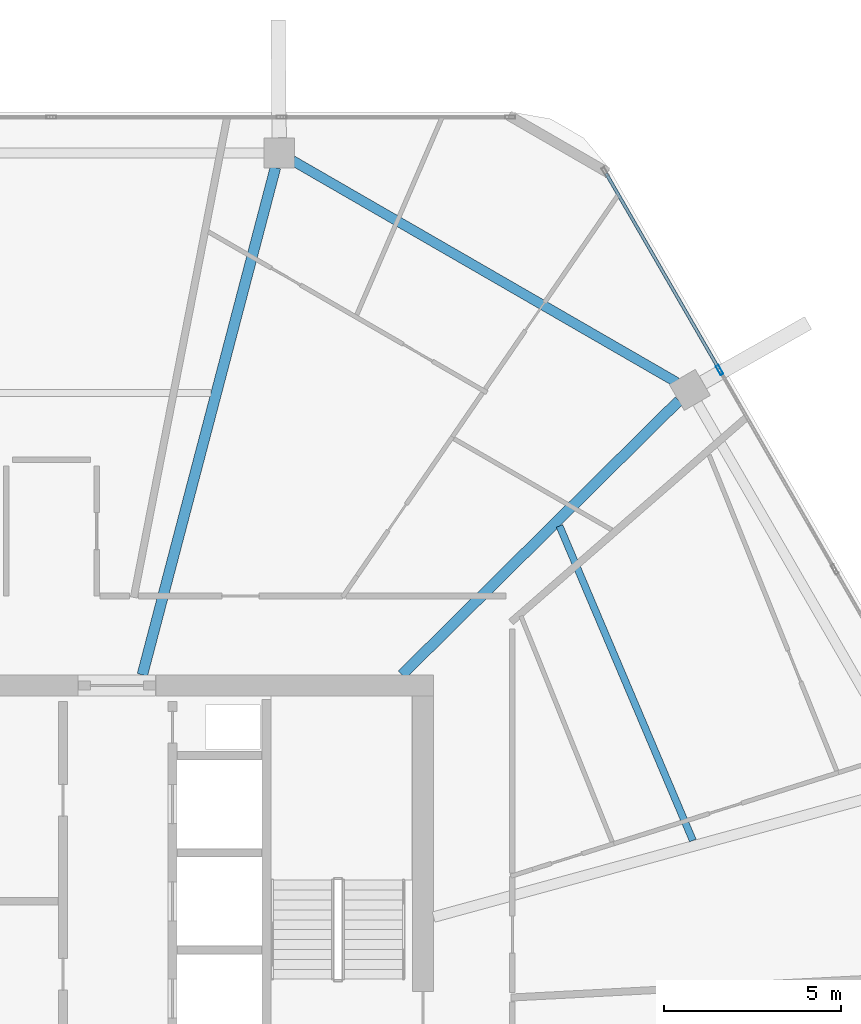
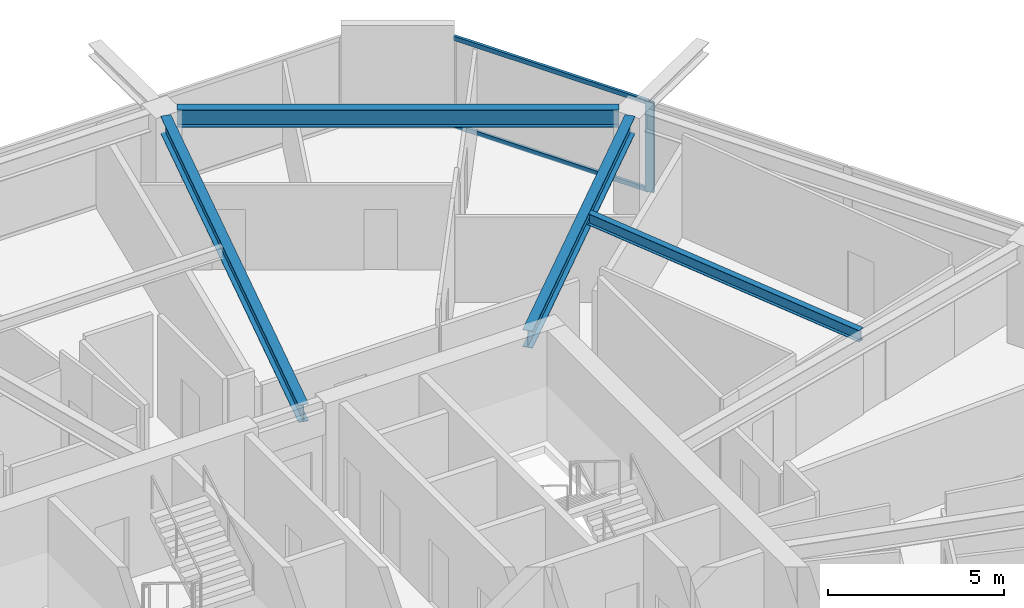
# One storey, part 14 of 26: 4 beams, 3 members, 1 element without a shape of its own.
"""IFC4 building model written with IfcOpenShell, lengths in metres."""

from ifc_helpers import new_model, si_unit, direction, frame, origin, origin_2d, place, context, subcontext, project, spatial, hollow_rectangle, i_section, extrude, material, material_profile, profile_set, type_object, element, aggregate, save


model = new_model("IFC4")

# Units and contexts
model_context = context("Model", 3, precision=1e-05, world=origin(), true_north=direction((0.0, 1.0)))
body_context = subcontext(model_context, "Body", "Model", "MODEL_VIEW")
ifc_project = project(units=[si_unit("LENGTHUNIT", "METRE"), si_unit("AREAUNIT", "SQUARE_METRE"), si_unit("VOLUMEUNIT", "CUBIC_METRE"), si_unit("PLANEANGLEUNIT", "RADIAN"), si_unit("MASSUNIT", "GRAM", prefix="KILO")], contexts=[model_context])

# Site, building, storey
site_placement = place(None, origin())
site = spatial("IfcSite", under=ifc_project, at=site_placement, CompositionType="ELEMENT")
building_placement = place(site_placement, origin())
building = spatial("IfcBuilding", under=site, at=building_placement, Name="Zuhravey Tower", CompositionType="ELEMENT")
storey_placement = place(building_placement, frame((0.0, 0.0, 280.60009765625)))
storey = spatial("IfcBuildingStorey", under=building, at=storey_placement, Name="L71", CompositionType="ELEMENT", Elevation=280.60009765625)

# Curtain wall, members
ifc_material_1 = material(Name="Thermally broken anodised aluminium", Category="aluminium")
curtain_wall_type = type_object("IfcCurtainWallType", Name="Zone 3-4 High-Rise Curtain Wall CW4", PredefinedType="NOTDEFINED", material=ifc_material_1)
curtain_wall_placement = place(storey_placement, origin())
curtain_wall = element("IfcCurtainWall", 1, at=curtain_wall_placement, inside=storey, type_object=curtain_wall_type, Name="L71 CW4 CW-L71-F1-1", PredefinedType="NOTDEFINED")
ifc_material_2 = material(Name="Anodised aluminium", Category="aluminium")
ifc_material_profile_1 = material_profile(ifc_material_2, hollow_rectangle(XDim=0.090087890625, YDim=0.284912109375, WallThickness=0.0048828125, at=origin_2d()), Name="ALU-RHS-90x285x5")
ifc_profile_set_1 = profile_set([ifc_material_profile_1], Name="Anodised aluminium")
member_type_1 = type_object("IfcMemberType", Name="Curtain-Wall Mullion 90x180", PredefinedType="MULLION", material=ifc_profile_set_1)
member_1_placement = place(storey_placement, frame((54.885498046875, 50.41650390625, 0.0), z_axis=(0.0, 0.0, 1.0), x_axis=(0.866024851021, 0.500000957414, 0.0)))
member_1 = element("IfcMember", 2, at=member_1_placement, type_object=member_type_1, Name="CW4 mullion 2", PredefinedType="MULLION", context=body_context, shape_type="SweptSolid", body=[
    extrude(hollow_rectangle(XDim=0.090087890625, YDim=0.284912109375, WallThickness=0.0048828125, at=origin_2d()), origin(), (0.0, 0.0, 1.0), 3.121826171875),
])
ifc_material_profile_2 = material_profile(ifc_material_2, hollow_rectangle(XDim=0.090087890625, YDim=0.14990234375, WallThickness=0.0048828125, at=origin_2d()), Name="ALU-RHS-90x150x5")
ifc_profile_set_2 = profile_set([ifc_material_profile_2], Name="Anodised aluminium")
member_type_2 = type_object("IfcMemberType", Name="Curtain-Wall Transom 90x150", PredefinedType="USERDEFINED", material=ifc_profile_set_2)
member_2_placement = place(storey_placement, frame((51.677490234375, 55.97314453125, 0.044921875), z_axis=(0.499980071345, -0.866036909293, 0.0), x_axis=(0.866036909293, 0.499980071345, 0.0)))
member_2 = element("IfcMember", 3, at=member_2_placement, type_object=member_type_2, Name="CW4 transom 1.1", ObjectType="TRANSOM", PredefinedType="USERDEFINED", context=body_context, shape_type="SweptSolid", body=[
    extrude(hollow_rectangle(XDim=0.090087890625, YDim=0.14990234375, WallThickness=0.0048828125, at=origin_2d()), origin(), (0.0, 0.0, 1.0), 6.371337890625),
])
member_3_placement = place(storey_placement, frame((51.677490234375, 55.97314453125, 3.076904296875), z_axis=(0.499980071345, -0.866036909293, 0.0), x_axis=(0.866036909293, 0.499980071345, 0.0)))
member_3 = element("IfcMember", 4, at=member_3_placement, type_object=member_type_2, Name="CW4 transom 1.2", ObjectType="TRANSOM", PredefinedType="USERDEFINED", context=body_context, shape_type="SweptSolid", body=[
    extrude(hollow_rectangle(XDim=0.090087890625, YDim=0.14990234375, WallThickness=0.0048828125, at=origin_2d()), origin(), (0.0, 0.0, 1.0), 6.371337890625),
])
aggregate(curtain_wall, [member_1, member_2, member_3])

# Beams
ifc_material_3 = material(Name="Steel SM355", Category="steel")
ifc_material_profile_3 = material_profile(ifc_material_3, i_section(OverallWidth=0.280029296875, OverallDepth=0.6201171875, WebThickness=0.011962890625, FlangeThickness=0.02001953125, at=origin_2d()), Name="H-620x280x12x20")
ifc_profile_set_3 = profile_set([ifc_material_profile_3], Name="Steel SM355")
beam_type_1 = type_object("IfcBeamType", Name="Perimeter Ring Beam H620x280", PredefinedType="BEAM", material=ifc_profile_set_3)
beam_1_placement = place(storey_placement, frame((53.6728515625, 50.068603515625, 3.239990234375), z_axis=(-0.866018312875, 0.500012281615, 0.0), x_axis=(-0.500012281615, -0.866018312875, 0.0)))
element("IfcBeam", 5, at=beam_1_placement, inside=storey, type_object=beam_type_1, Name="L71 PB3 BM-L71-PB-02", PredefinedType="BEAM", context=body_context, shape_type="SweptSolid", body=[
    extrude(i_section(OverallWidth=0.280029296875, OverallDepth=0.6201171875, WebThickness=0.011962890625, FlangeThickness=0.02001953125, at=origin_2d()), origin(), (0.0, 0.0, 1.0), 12.541748046875),
])
ifc_material_profile_4 = material_profile(ifc_material_3, i_section(OverallWidth=0.300048828125, OverallDepth=0.60009765625, WebThickness=0.011962890625, FlangeThickness=0.02001953125, at=origin_2d()), Name="H-600x300x12x20")
ifc_profile_set_4 = profile_set([ifc_material_profile_4], Name="Steel SM355")
beam_type_2 = type_object("IfcBeamType", Name="Radial Primary Girder H600x300", PredefinedType="BEAM", material=ifc_profile_set_4)
beam_2_placement = place(storey_placement, frame((45.90673828125, 41.802978515625, 3.25), z_axis=(0.710808169267, 0.70338591577, 0.0), x_axis=(-0.70338591577, 0.710808169267, 0.0)))
element("IfcBeam", 6, at=beam_2_placement, inside=storey, type_object=beam_type_2, Name="L71 RG3 BM-L71-RAD-02", PredefinedType="BEAM", context=body_context, shape_type="SweptSolid", body=[
    extrude(i_section(OverallWidth=0.300048828125, OverallDepth=0.60009765625, WebThickness=0.011962890625, FlangeThickness=0.02001953125, at=origin_2d()), origin(), (0.0, 0.0, 1.0), 11.019287109375),
])
beam_3_placement = place(storey_placement, frame((38.571533203125, 41.802978515625, 3.25), z_axis=(0.25373188956, 0.967274587809, 0.0), x_axis=(-0.967274587809, 0.25373188956, 0.0)))
element("IfcBeam", 7, at=beam_3_placement, inside=storey, type_object=beam_type_2, Name="L71 RG3 BM-L71-RAD-03", PredefinedType="BEAM", context=body_context, shape_type="SweptSolid", body=[
    extrude(i_section(OverallWidth=0.300048828125, OverallDepth=0.60009765625, WebThickness=0.011962890625, FlangeThickness=0.02001953125, at=origin_2d()), origin(), (0.0, 0.0, 1.0), 14.82177734375),
])
ifc_material_profile_5 = material_profile(ifc_material_3, i_section(OverallWidth=0.199951171875, OverallDepth=0.39990234375, WebThickness=0.008056640625, FlangeThickness=0.012939453125, at=origin_2d()), Name="H-400x200x8x13")
ifc_profile_set_5 = profile_set([ifc_material_profile_5], Name="Steel SM355")
beam_type_3 = type_object("IfcBeamType", Name="Secondary Floor Joist H400x200", PredefinedType="JOIST", material=ifc_profile_set_5)
beam_4_placement = place(storey_placement, frame((54.130859375, 37.118896484375, 3.349853515625), z_axis=(-0.390413493754, 0.920639616731, 0.0), x_axis=(-0.920639616731, -0.390413493754, 0.0)))
element("IfcBeam", 8, at=beam_4_placement, inside=storey, type_object=beam_type_3, Name="L71 SJ2 BM-L71-SJ-01-1", PredefinedType="JOIST", context=body_context, shape_type="SweptSolid", body=[
    extrude(i_section(OverallWidth=0.199951171875, OverallDepth=0.39990234375, WebThickness=0.008056640625, FlangeThickness=0.012939453125, at=origin_2d()), origin(), (0.0, 0.0, 1.0), 9.656494140625),
])

save(model, "model.ifc")
